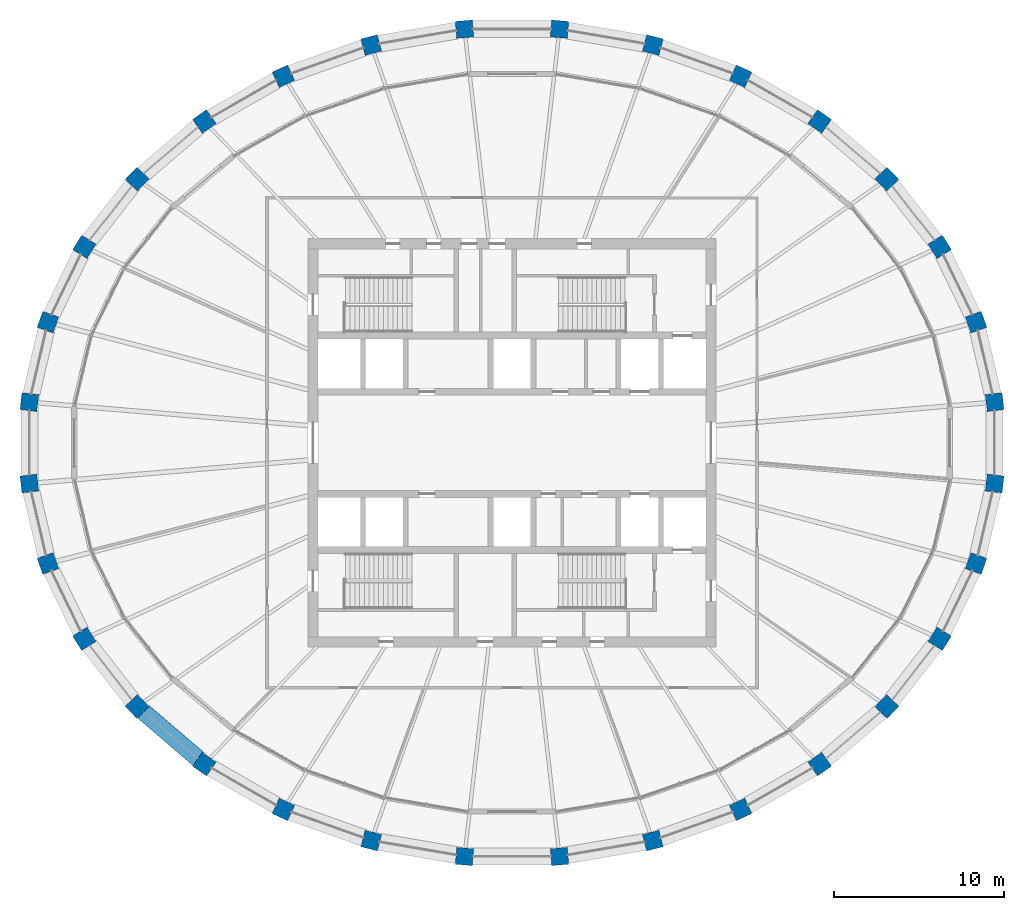
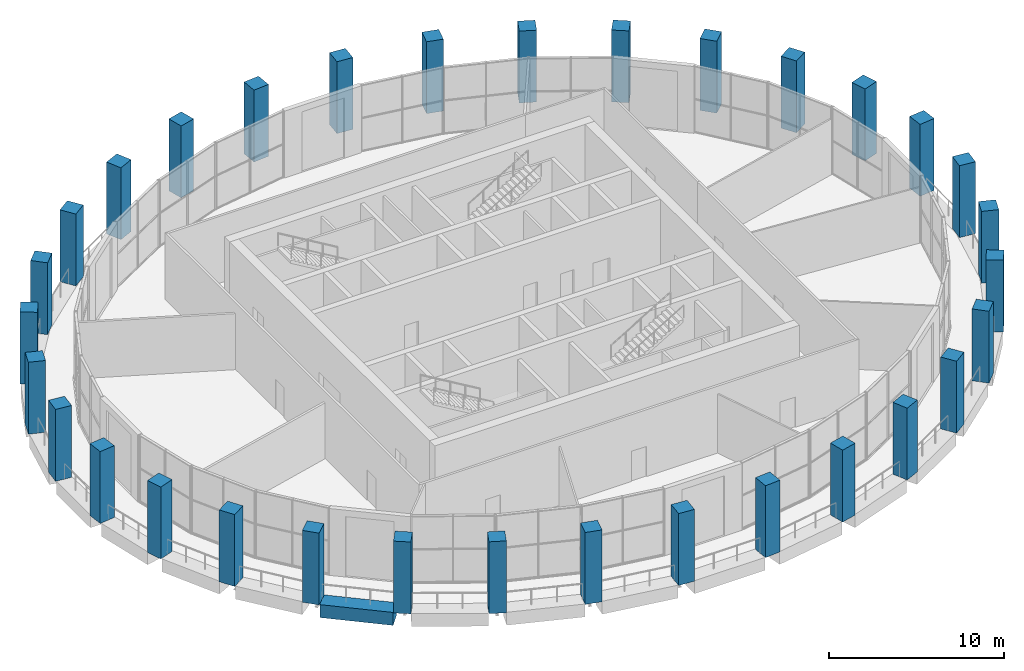
# One storey, part 1 of 15: 32 columns, 1 beam.
"""IFC4 building model written with IfcOpenShell, lengths in metres."""

from ifc_helpers import new_model, si_unit, direction, frame, origin, origin_2d, place, context, subcontext, project, spatial, rectangle, extrude, material, material_profile, profile_set, type_object, element, save


model = new_model("IFC4")

# Units and contexts
model_context = context("Model", 3, precision=1e-05, world=origin(), true_north=direction((0.0, 1.0)))
body_context = subcontext(model_context, "Body", "Model", "MODEL_VIEW")
ifc_project = project(units=[si_unit("LENGTHUNIT", "METRE"), si_unit("AREAUNIT", "SQUARE_METRE"), si_unit("VOLUMEUNIT", "CUBIC_METRE"), si_unit("PLANEANGLEUNIT", "RADIAN"), si_unit("MASSUNIT", "GRAM", prefix="KILO")], contexts=[model_context])

# Site, building, storey
site_placement = place(None, origin())
site = spatial("IfcSite", under=ifc_project, at=site_placement, CompositionType="ELEMENT")
building_placement = place(site_placement, origin())
building = spatial("IfcBuilding", under=site, at=building_placement, Name="Halqa Exchange Tower", CompositionType="ELEMENT")
storey_placement = place(building_placement, frame((0.0, 0.0, 338.300048828125)))
storey = spatial("IfcBuildingStorey", under=building, at=storey_placement, Name="L79", CompositionType="ELEMENT", Elevation=338.300048828125)

# Columns
ifc_material_1 = material(Name="Concrete C50/60", Category="concrete")
ifc_material_profile_1 = material_profile(ifc_material_1, rectangle(XDim=1.0, YDim=1.0, at=origin_2d()), Name="1000 x 1000")
ifc_profile_set_1 = profile_set([ifc_material_profile_1], Name="Concrete C50/60")
column_type = type_object("IfcColumnType", Name="RC ring column 1000 x 1000 C50/60", PredefinedType="COLUMN", material=ifc_profile_set_1)
for number, where, z_axis, x_axis, name in (
    (1, (28.36279296875, 2.394287109375, 0.0), (0.0, 0.0, 1.0), (-0.114160389816, 0.993462332148, 0.0), "Ring column 1"),
    (2, (27.272705078125, 7.09130859375, 0.0), (0.0, 0.0, 1.0), (-0.333624233576, 0.942706142321, 0.0), "Ring column 2"),
    (3, (25.134765625, 11.515625, 0.0), (0.0, 0.0, 1.0), (-0.529140496257, 0.848534227489, 0.0), "Ring column 3"),
    (4, (22.03076171875, 15.497314453125, 0.0), (0.0, 0.0, 1.0), (-0.691578612608, 0.722301199351, 0.0), "Ring column 4"),
    (5, (18.080078125, 18.883544921875, 0.0), (0.0, 0.0, 1.0), (-0.817906779671, 0.575350762377, 0.0), "Ring column 5"),
    (6, (13.434814453125, 21.544189453125, 0.0), (0.0, 0.0, 1.0), (-0.909128549752, 0.416515641994, 0.0), "Ring column 6"),
    (7, (8.273193359375, 23.376708984375, 0.0), (0.0, 0.0, 1.0), (-0.967819064366, 0.251647091481, 0.0), "Ring column 7"),
    (8, (2.79345703125, 24.31103515625, 0.0), (0.0, 0.0, 1.0), (-0.996455078514, 0.084126550533, 0.0), "Ring column 8"),
    (9, (-2.79345703125, 24.31103515625, 0.0), (0.0, 0.0, 1.0), (-0.996455078514, -0.084126550533, 0.0), "Ring column 9"),
    (10, (-8.273193359375, 23.376708984375, 0.0), (0.0, 0.0, 1.0), (-0.967819064366, -0.251647091481, 0.0), "Ring column 10"),
    (11, (-13.434814453125, 21.544189453125, 0.0), (0.0, 0.0, 1.0), (-0.909128549752, -0.416515641994, 0.0), "Ring column 11"),
    (12, (-18.080078125, 18.883544921875, 0.0), (0.0, 0.0, 1.0), (-0.817906779671, -0.575350762377, 0.0), "Ring column 12"),
    (13, (-22.03076171875, 15.497314453125, 0.0), (0.0, 0.0, 1.0), (-0.691578612608, -0.722301199351, 0.0), "Ring column 13"),
    (14, (-25.134765625, 11.515625, 0.0), (0.0, 0.0, 1.0), (-0.529140496257, -0.848534227489, 0.0), "Ring column 14"),
    (15, (-27.272705078125, 7.09130859375, 0.0), (0.0, 0.0, 1.0), (-0.333624233576, -0.942706142321, 0.0), "Ring column 15"),
    (16, (-28.36279296875, 2.394287109375, 0.0), (0.0, 0.0, 1.0), (-0.114160389816, -0.993462332148, 0.0), "Ring column 16"),
    (17, (-28.36279296875, -2.394287109375, 0.0), (0.0, 0.0, 1.0), (0.114160389816, -0.993462332148, 0.0), "Ring column 17"),
    (18, (-27.272705078125, -7.09130859375, 0.0), (0.0, 0.0, 1.0), (0.333624233576, -0.942706142321, 0.0), "Ring column 18"),
    (19, (-25.134765625, -11.515625, 0.0), (0.0, 0.0, 1.0), (0.529140496257, -0.848534227489, 0.0), "Ring column 19"),
    (20, (-22.03076171875, -15.497314453125, 0.0), (0.0, 0.0, 1.0), (0.691578612608, -0.722301199351, 0.0), "Ring column 20"),
    (21, (-18.080078125, -18.883544921875, 0.0), (0.0, 0.0, 1.0), (0.817906779671, -0.575350762377, 0.0), "Ring column 21"),
    (22, (-13.434814453125, -21.544189453125, 0.0), (0.0, 0.0, 1.0), (0.909128549752, -0.416515641994, 0.0), "Ring column 22"),
    (23, (-8.273193359375, -23.376708984375, 0.0), (0.0, 0.0, 1.0), (0.967819064366, -0.251647091481, 0.0), "Ring column 23"),
    (24, (-2.79345703125, -24.31103515625, 0.0), (0.0, 0.0, 1.0), (0.996455078514, -0.084126550533, 0.0), "Ring column 24"),
    (25, (2.79345703125, -24.31103515625, 0.0), (0.0, 0.0, 1.0), (0.996455078514, 0.084126550533, 0.0), "Ring column 25"),
    (26, (8.273193359375, -23.376708984375, 0.0), (0.0, 0.0, 1.0), (0.967819064366, 0.251647091481, 0.0), "Ring column 26"),
    (27, (13.434814453125, -21.544189453125, 0.0), (0.0, 0.0, 1.0), (0.909128549752, 0.416515641994, 0.0), "Ring column 27"),
    (28, (18.080078125, -18.883544921875, 0.0), (0.0, 0.0, 1.0), (0.817906779671, 0.575350762377, 0.0), "Ring column 28"),
    (29, (22.03076171875, -15.497314453125, 0.0), (0.0, 0.0, 1.0), (0.691578612608, 0.722301199351, 0.0), "Ring column 29"),
    (30, (25.134765625, -11.515625, 0.0), (0.0, 0.0, 1.0), (0.529140496257, 0.848534227489, 0.0), "Ring column 30"),
    (31, (27.272705078125, -7.09130859375, 0.0), (0.0, 0.0, 1.0), (0.333624233576, 0.942706142321, 0.0), "Ring column 31"),
    (32, (28.36279296875, -2.394287109375, 0.0), (0.0, 0.0, 1.0), (0.114160389816, 0.993462332148, 0.0), "Ring column 32"),
):
    element("IfcColumn", number, at=place(storey_placement, frame(where, z_axis=z_axis, x_axis=x_axis)), inside=storey, type_object=column_type, Name=name, PredefinedType="COLUMN", context=body_context, shape_type="SweptSolid", body=[
        extrude(rectangle(XDim=1.0, YDim=1.0, at=origin_2d()), origin(), (0.0, 0.0, 1.0), 5.0),
    ])

# Beam
ifc_material_2 = material(Name="Concrete C60/75", Category="concrete")
ifc_material_profile_2 = material_profile(ifc_material_2, rectangle(XDim=1.0, YDim=0.89990234375, at=origin_2d()), Name="1000 x 900")
ifc_profile_set_2 = profile_set([ifc_material_profile_2], Name="Concrete C60/75")
beam_type = type_object("IfcBeamType", Name="RC spandrel beam 1000 x 900 C60/75", PredefinedType="SPANDREL", material=ifc_profile_set_2)
beam_placement = place(storey_placement, frame((-21.670654296875, -15.805908203125, -0.449951171875), z_axis=(0.759232294843, -0.65081973116, 0.0), x_axis=(0.65081973116, 0.759232294843, 0.0)))
element("IfcBeam", 33, at=beam_placement, inside=storey, type_object=beam_type, Name="Spandrel 20", PredefinedType="SPANDREL", context=body_context, shape_type="SweptSolid", body=[
    extrude(rectangle(XDim=1.0, YDim=0.89990234375, at=origin_2d()), origin(), (0.0, 0.0, 1.0), 4.25390625),
])

save(model, "model.ifc")
